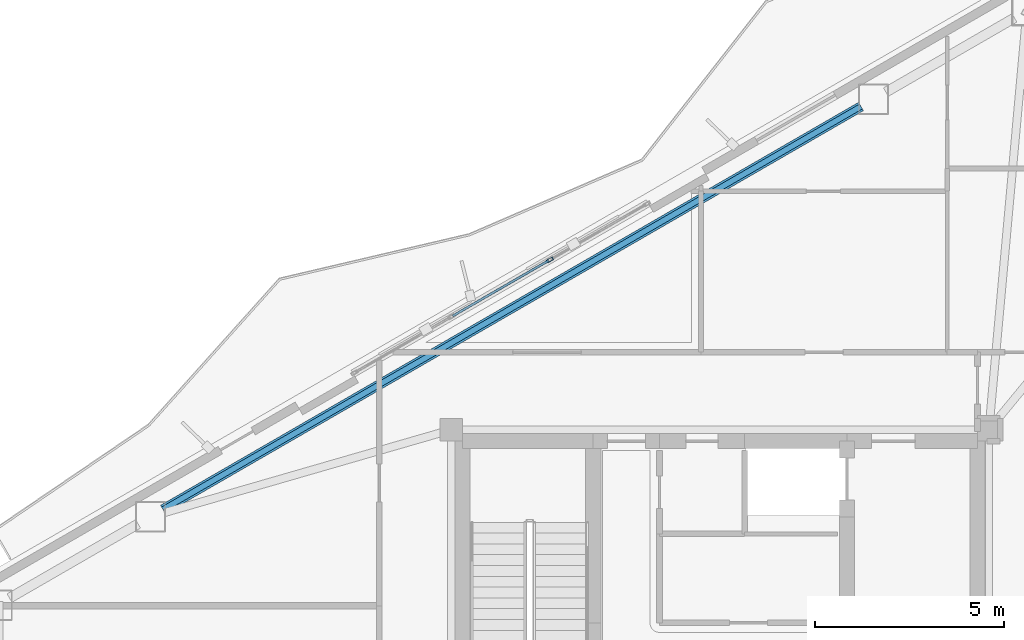
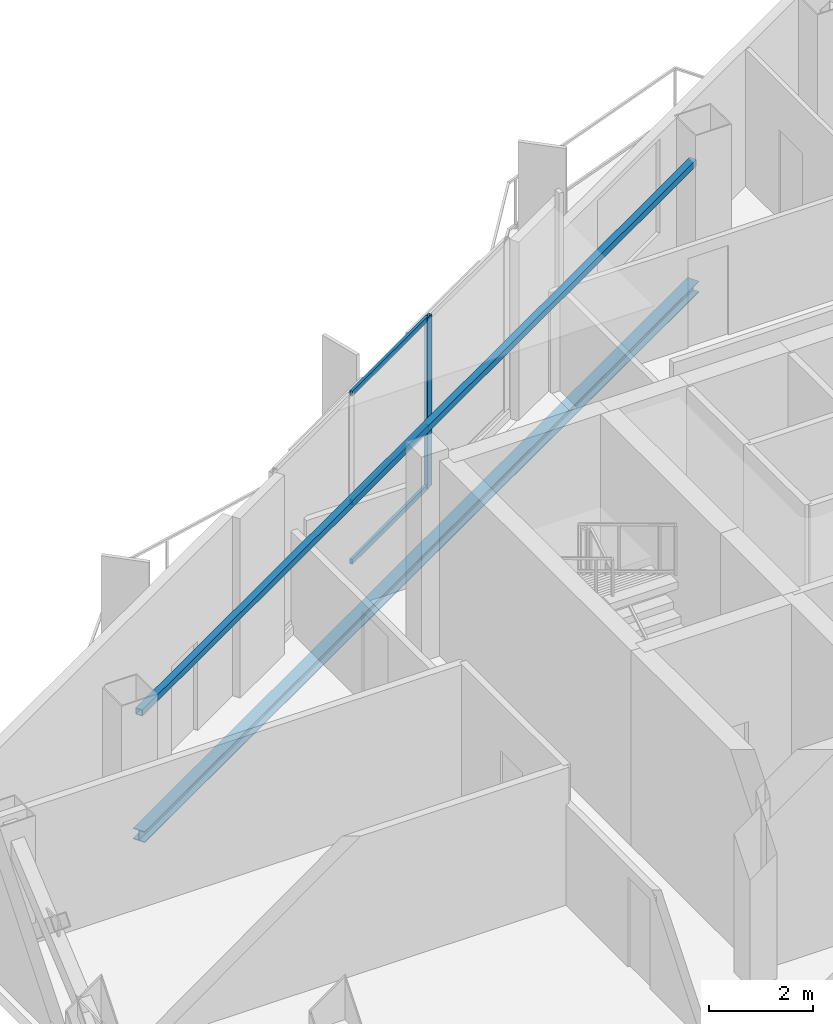
# One storey, part 7 of 15: 4 members, 2 beams, 1 element without a shape of its own.
"""IFC4 building model written with IfcOpenShell, lengths in metres."""

import ifcopenshell
import ifcopenshell.guid

model = None  # the IFC model being written
_history = None  # IfcOwnerHistory: only IFC2X3 demands one
_inside = {}  # id of a spatial element -> (the spatial element, [elements in it])
_under = {}  # id of a project, library or spatial element -> (it, [spatial elements below it])
_declared = {}  # id of a project -> (the project, [libraries it declares])
_typed = {}  # id of a type object -> (the type object, [elements of that type])
_made_of = {}  # id of a material, layer set ... -> (it, [elements and type objects made of it])


def new_model(schema):
    """Start an empty IFC model of exactly this schema.

    Asked for "IFC4X3", IfcOpenShell would pick the latest addendum, in which some entities
    have other attributes; the version numbers below select the first issue.
    IFC2X3 requires an IfcOwnerHistory on every rooted entity: one is made here for all.
    """
    global model, _history
    if schema == "IFC4X3":
        model = ifcopenshell.file(schema_version=(4, 3, 0, 0))
    else:
        model = ifcopenshell.file(schema=schema)
    _inside.clear()
    _under.clear()
    _declared.clear()
    _typed.clear()
    _made_of.clear()
    _history = None
    if model.schema == "IFC2X3":
        org = make("IfcOrganization", Name="unknown")
        user = make(
            "IfcPersonAndOrganization",
            ThePerson=make("IfcPerson", FamilyName="unknown"),
            TheOrganization=org,
        )
        app = make(
            "IfcApplication",
            ApplicationDeveloper=org,
            Version="unknown",
            ApplicationFullName="unknown",
            ApplicationIdentifier="unknown",
        )
        _history = make(
            "IfcOwnerHistory",
            OwningUser=user,
            OwningApplication=app,
            ChangeAction="ADDED",
            CreationDate=0,
        )
    return model


def make(cls, **values):
    """One entity of the class cls with the attributes given. An attribute that is None is left unset."""
    return model.create_entity(
        cls, **{name: value for name, value in values.items() if value is not None}
    )


def rooted(cls, **values):
    """An entity with a GlobalId (a new one), such as an element, a storey or a relation."""
    return make(cls, GlobalId=ifcopenshell.guid.new(), OwnerHistory=_history, **values)


def si_unit(unit_type, name, prefix=None):
    """IfcSIUnit, for example si_unit("LENGTHUNIT", "METRE", prefix="MILLI")."""
    return make("IfcSIUnit", UnitType=unit_type, Prefix=prefix, Name=name)


def assignment(units):
    """IfcUnitAssignment: the units of a project."""
    return None if units is None else make("IfcUnitAssignment", Units=units)


def point(xyz):
    """IfcCartesianPoint."""
    return None if xyz is None else make("IfcCartesianPoint", Coordinates=xyz)


def direction(xyz):
    """IfcDirection."""
    return None if xyz is None else make("IfcDirection", DirectionRatios=xyz)


def frame(location, z_axis=None, x_axis=None):
    """IfcAxis2Placement3D, a coordinate frame: its origin and axes. An axis left out is left unset."""
    return make(
        "IfcAxis2Placement3D",
        Location=point(location),
        Axis=direction(z_axis),
        RefDirection=direction(x_axis),
    )


def frame_2d(location, x_axis=None):
    """IfcAxis2Placement2D, a coordinate frame in the plane: its origin and x axis."""
    return make(
        "IfcAxis2Placement2D", Location=point(location), RefDirection=direction(x_axis)
    )


def origin():
    """The frame at (0, 0, 0) with its axes left unset."""
    return frame((0.0, 0.0, 0.0))


def origin_2d():
    """The frame at (0, 0) in the plane with its x axis left unset."""
    return frame_2d((0.0, 0.0))


def place(relative_to, where):
    """IfcLocalPlacement: puts the frame where relative to a parent placement (None: the world)."""
    return make(
        "IfcLocalPlacement", PlacementRelTo=relative_to, RelativePlacement=where
    )


def context(
    kind, dimensions, precision=None, world=None, true_north=None, identifier=None
):
    """IfcGeometricRepresentationContext, for example the 3D "Model" context."""
    return make(
        "IfcGeometricRepresentationContext",
        ContextIdentifier=identifier,
        ContextType=kind,
        CoordinateSpaceDimension=dimensions,
        Precision=precision,
        WorldCoordinateSystem=world,
        TrueNorth=true_north,
    )


def subcontext(parent, identifier, kind, view, scale=None):
    """IfcGeometricRepresentationSubContext, for example "Body" below "Model"."""
    return make(
        "IfcGeometricRepresentationSubContext",
        ContextIdentifier=identifier,
        ContextType=kind,
        ParentContext=parent,
        TargetScale=scale,
        TargetView=view,
    )


def project(units=None, contexts=None):
    """IfcProject with its units and contexts."""
    return rooted(
        "IfcProject",
        Name="project",
        RepresentationContexts=contexts,
        UnitsInContext=assignment(units),
    )


def spatial(cls, under=None, at=None, **own):
    """A site, building, storey or space (cls), placed at a placement, below another one or the project."""
    s = rooted(cls, ObjectPlacement=at, **own)
    if under is not None:
        _under.setdefault(under.id(), (under, []))[1].append(s)
    return s


def profile(cls, at=None, kind="AREA", **sizes):
    """A parametric profile (cls). Its sizes go by their IFC names, for example OverallWidth=200.0."""
    return make(cls, ProfileType=kind, Position=at, **sizes)


def hollow_rectangle(**sizes):
    """IfcRectangleHollowProfileDef."""
    return profile("IfcRectangleHollowProfileDef", **sizes)


def i_section(**sizes):
    """IfcIShapeProfileDef."""
    return profile("IfcIShapeProfileDef", **sizes)


def extrude(swept, where, along, depth):
    """IfcExtrudedAreaSolid: the profile swept, set in the frame where, extruded along a direction by depth."""
    return make(
        "IfcExtrudedAreaSolid",
        SweptArea=swept,
        Position=where,
        ExtrudedDirection=direction(along),
        Depth=depth,
    )


def shape(context_of_items, identifier, shape_type, items):
    """IfcShapeRepresentation: the items that make up one representation, for example the "Body"."""
    return make(
        "IfcShapeRepresentation",
        ContextOfItems=context_of_items,
        RepresentationIdentifier=identifier,
        RepresentationType=shape_type,
        Items=items,
    )


def material(Name=None, Category=None):
    """IfcMaterial."""
    return make("IfcMaterial", Name=Name, Category=Category)


def layer(
    of_material, thickness, ventilated=None, Name=None, Category=None, Priority=None
):
    """IfcMaterialLayer: one layer of a wall or slab, of a material (None: an air gap)."""
    return make(
        "IfcMaterialLayer",
        Material=of_material,
        LayerThickness=thickness,
        IsVentilated=ventilated,
        Name=Name,
        Category=Category,
        Priority=Priority,
    )


def layer_set(layers, Name=None):
    """IfcMaterialLayerSet."""
    return make("IfcMaterialLayerSet", MaterialLayers=layers, LayerSetName=Name)


def material_profile(
    of_material, cross_section, Name=None, Category=None, Priority=None
):
    """IfcMaterialProfile: a cross section and its material."""
    return make(
        "IfcMaterialProfile",
        Name=Name,
        Material=of_material,
        Profile=cross_section,
        Priority=Priority,
        Category=Category,
    )


def profile_set(profiles, Name=None, composite=None):
    """IfcMaterialProfileSet."""
    return make(
        "IfcMaterialProfileSet",
        Name=Name,
        MaterialProfiles=profiles,
        CompositeProfile=composite,
    )


def made_of(thing, what):
    """Note that an element or type object is made of a material, layer set ...; save() writes the relation."""
    if what is not None:
        _made_of.setdefault(what.id(), (what, []))[1].append(thing)
    return thing


def type_object(cls, material=None, **own):
    """A type object (cls), such as IfcWallType, which elements share."""
    return made_of(rooted(cls, **own), material)


def element(
    cls,
    number,
    at=None,
    inside=None,
    cuts=None,
    type_object=None,
    material=None,
    context=None,
    identifier="Body",
    shape_type=None,
    held_by="IfcProductDefinitionShape",
    body=None,
    shapes=None,
    **own,
):
    """One element of the class cls, such as IfcWall. Its Tag is "e" and its number.

    at: its placement. inside: the storey or other place that contains it. cuts: it is an
    opening in that element (IfcRelVoidsElement). A single representation is given by context,
    identifier, shape_type and body (its items); several are given by shapes. held_by: the class
    of the entity that holds the representations. save() writes the other relations.
    """
    e = rooted(cls, Tag="e%d" % number, ObjectPlacement=at, **own)
    if body is not None:
        shapes = [shape(context, identifier, shape_type, body)]
    if shapes is not None:
        e.Representation = make(held_by, Representations=shapes)
    if inside is not None:
        _inside.setdefault(inside.id(), (inside, []))[1].append(e)
    if cuts is not None:
        rooted(
            "IfcRelVoidsElement", RelatingBuildingElement=cuts, RelatedOpeningElement=e
        )
    if type_object is not None:
        _typed.setdefault(type_object.id(), (type_object, []))[1].append(e)
    return made_of(e, material)


def aggregate(whole, parts):
    """IfcRelAggregates: a whole, such as a stair, and the parts it consists of."""
    return rooted("IfcRelAggregates", RelatingObject=whole, RelatedObjects=parts)


def save(model, path):
    """Write the relations noted so far, then the file.

    IfcRelAggregates (storeys below a building ...), IfcRelContainedInSpatialStructure (elements
    in a storey), IfcRelDefinesByType, IfcRelAssociatesMaterial and IfcRelDeclares: one each for
    every whole, place, type object, material and project.
    """
    for whole, parts in _under.values():
        aggregate(whole, parts)
    for where, things in _inside.values():
        rooted(
            "IfcRelContainedInSpatialStructure",
            RelatedElements=things,
            RelatingStructure=where,
        )
    for kind, things in _typed.values():
        rooted("IfcRelDefinesByType", RelatedObjects=things, RelatingType=kind)
    for what, things in _made_of.values():
        rooted("IfcRelAssociatesMaterial", RelatedObjects=things, RelatingMaterial=what)
    for by, libraries in _declared.values():
        rooted("IfcRelDeclares", RelatingContext=by, RelatedDefinitions=libraries)
    model.write(path)


model = new_model("IFC4")

# Units and contexts
model_context = context("Model", 3, precision=1e-05, world=origin(), true_north=direction((0.0, 1.0)))
body_context = subcontext(model_context, "Body", "Model", "MODEL_VIEW")
ifc_project = project(units=[si_unit("LENGTHUNIT", "METRE"), si_unit("AREAUNIT", "SQUARE_METRE"), si_unit("VOLUMEUNIT", "CUBIC_METRE"), si_unit("PLANEANGLEUNIT", "RADIAN"), si_unit("MASSUNIT", "GRAM", prefix="KILO")], contexts=[model_context])

# Site, building, storey
site_placement = place(None, origin())
site = spatial("IfcSite", under=ifc_project, at=site_placement, CompositionType="ELEMENT")
building_placement = place(site_placement, origin())
building = spatial("IfcBuilding", under=site, at=building_placement, Name="Mersakhor Tower and Convention Hall", CompositionType="ELEMENT")
storey_placement = place(building_placement, frame((0.0, 0.0, 218.39990234375)))
storey = spatial("IfcBuildingStorey", under=building, at=storey_placement, Name="L61", CompositionType="ELEMENT", Elevation=218.39990234375)

# Beams
ifc_material_1 = material(Name="Steel S355", Category="steel")
ifc_material_profile_1 = material_profile(ifc_material_1, hollow_rectangle(XDim=0.14990234375, YDim=0.14990234375, WallThickness=0.010009765625, at=origin_2d()), Name="SHS 150x150x10")
ifc_profile_set_1 = profile_set([ifc_material_profile_1], Name="Steel S355")
beam_type_1 = type_object("IfcBeamType", Name="BM-GRT-SHS150", PredefinedType="USERDEFINED", material=ifc_profile_set_1)
beam_1_placement = place(storey_placement, frame((14.288818359375, 30.94482421875, 2.47998046875), z_axis=(0.866024569776, 0.500001444543, 0.0), x_axis=(-0.500001444543, 0.866024569776, 0.0)))
element("IfcBeam", 1, at=beam_1_placement, inside=storey, type_object=beam_type_1, Name="L61 Facade Support Girt GRT-F1", ObjectType="GIRT", PredefinedType="USERDEFINED", context=body_context, shape_type="SweptSolid", body=[
    extrude(hollow_rectangle(XDim=0.14990234375, YDim=0.14990234375, WallThickness=0.010009765625, at=origin_2d()), origin(), (0.0, 0.0, 1.0), 21.28564453125),
])
ifc_material_2 = material(Name="Steel S355", Category="steel")
ifc_material_profile_2 = material_profile(ifc_material_2, i_section(OverallWidth=0.25634765625, OverallDepth=0.26025390625, WebThickness=0.01025390625, FlangeThickness=0.017333984375, at=origin_2d()), Name="UC 254x254x89")
ifc_profile_set_2 = profile_set([ifc_material_profile_2], Name="Steel S355")
beam_type_2 = type_object("IfcBeamType", Name="BM-SPD-UC254", PredefinedType="SPANDREL", material=ifc_profile_set_2)
beam_2_placement = place(storey_placement, frame((14.288818359375, 30.94482421875, -0.409912109375), z_axis=(0.866024569776, 0.500001444543, 0.0), x_axis=(-0.500001444543, 0.866024569776, 0.0)))
element("IfcBeam", 2, at=beam_2_placement, inside=storey, type_object=beam_type_2, Name="L61 Perimeter Spandrel Beam SPB-02", PredefinedType="SPANDREL", context=body_context, shape_type="SweptSolid", body=[
    extrude(i_section(OverallWidth=0.25634765625, OverallDepth=0.26025390625, WebThickness=0.01025390625, FlangeThickness=0.017333984375, at=origin_2d()), origin(), (0.0, 0.0, 1.0), 21.28564453125),
])

# Curtain wall, members
ifc_material_3 = material(Name="Dark solar low-E aluminium curtain wall", Category="aluminium")
ifc_layer = layer(ifc_material_3, 0.199951171875)
ifc_layer_set = layer_set([ifc_layer], Name="Dark solar low-E aluminium curtain wall")
curtain_wall_type = type_object("IfcCurtainWallType", Name="CW-SYS-05", PredefinedType="USERDEFINED", material=ifc_layer_set)
curtain_wall_placement = place(storey_placement, origin())
curtain_wall = element("IfcCurtainWall", 3, at=curtain_wall_placement, inside=storey, type_object=curtain_wall_type, Name="L61 Dark-Glass Curtain Wall F1-B2", ObjectType="CURTAIN WALL", PredefinedType="USERDEFINED")
ifc_material_4 = material(Name="Anodised aluminium EN AW-6063 T6", Category="aluminium")
ifc_material_profile_3 = material_profile(ifc_material_4, hollow_rectangle(XDim=0.080078125, YDim=0.179931640625, WallThickness=0.008056640625, at=origin_2d()), Name="RHS 180x80x8")
ifc_profile_set_3 = profile_set([ifc_material_profile_3], Name="Anodised aluminium EN AW-6063 T6")
member_type_1 = type_object("IfcMemberType", Name="CWM-180x80", PredefinedType="MULLION", material=ifc_profile_set_3)
member_1_placement = place(storey_placement, frame((24.504638671875, 37.535888671875, 0.2001953125), z_axis=(0.0, 0.0, 1.0), x_axis=(-0.500007824483, 0.86602088627, 0.0)))
member_1 = element("IfcMember", 4, at=member_1_placement, type_object=member_type_1, Name="CW-05 mullion 3", PredefinedType="MULLION", context=body_context, shape_type="SweptSolid", body=[
    extrude(hollow_rectangle(XDim=0.080078125, YDim=0.179931640625, WallThickness=0.008056640625, at=origin_2d()), origin(), (0.0, 0.0, 1.0), 4.0),
])
ifc_material_5 = material(Name="Anodised aluminium EN AW-6063 T6", Category="aluminium")
ifc_material_profile_4 = material_profile(ifc_material_5, hollow_rectangle(XDim=0.06005859375, YDim=0.1201171875, WallThickness=0.0048828125, at=origin_2d()), Name="RHS 120x60x5")
ifc_profile_set_4 = profile_set([ifc_material_profile_4], Name="Anodised aluminium EN AW-6063 T6")
member_type_2 = type_object("IfcMemberType", Name="CWT-120x60", PredefinedType="USERDEFINED", material=ifc_profile_set_4)
member_2_placement = place(storey_placement, frame((21.941650390625, 36.055908203125, 0.22998046875), z_axis=(0.865990618459, 0.500060245112, 0.0), x_axis=(-0.500060245112, 0.865990618459, 0.0)))
member_2 = element("IfcMember", 5, at=member_2_placement, type_object=member_type_2, Name="CW-05 transom 2.1", ObjectType="TRANSOM", PredefinedType="USERDEFINED", context=body_context, shape_type="SweptSolid", body=[
    extrude(hollow_rectangle(XDim=0.06005859375, YDim=0.1201171875, WallThickness=0.0048828125, at=origin_2d()), origin(), (0.0, 0.0, 1.0), 2.919677734375),
])
member_3_placement = place(storey_placement, frame((21.941650390625, 36.055908203125, 1.6201171875), z_axis=(0.865990618459, 0.500060245112, 0.0), x_axis=(-0.500060245112, 0.865990618459, 0.0)))
member_3 = element("IfcMember", 6, at=member_3_placement, type_object=member_type_2, Name="CW-05 transom 2.2", ObjectType="TRANSOM", PredefinedType="USERDEFINED", context=body_context, shape_type="SweptSolid", body=[
    extrude(hollow_rectangle(XDim=0.06005859375, YDim=0.1201171875, WallThickness=0.0048828125, at=origin_2d()), origin(), (0.0, 0.0, 1.0), 2.919677734375),
])
member_4_placement = place(storey_placement, frame((21.941650390625, 36.055908203125, 4.170166015625), z_axis=(0.865990618459, 0.500060245112, 0.0), x_axis=(-0.500060245112, 0.865990618459, 0.0)))
member_4 = element("IfcMember", 7, at=member_4_placement, type_object=member_type_2, Name="CW-05 transom 2.3", ObjectType="TRANSOM", PredefinedType="USERDEFINED", context=body_context, shape_type="SweptSolid", body=[
    extrude(hollow_rectangle(XDim=0.06005859375, YDim=0.1201171875, WallThickness=0.0048828125, at=origin_2d()), origin(), (0.0, 0.0, 1.0), 2.919677734375),
])
aggregate(curtain_wall, [member_1, member_2, member_3, member_4])

save(model, "model.ifc")
